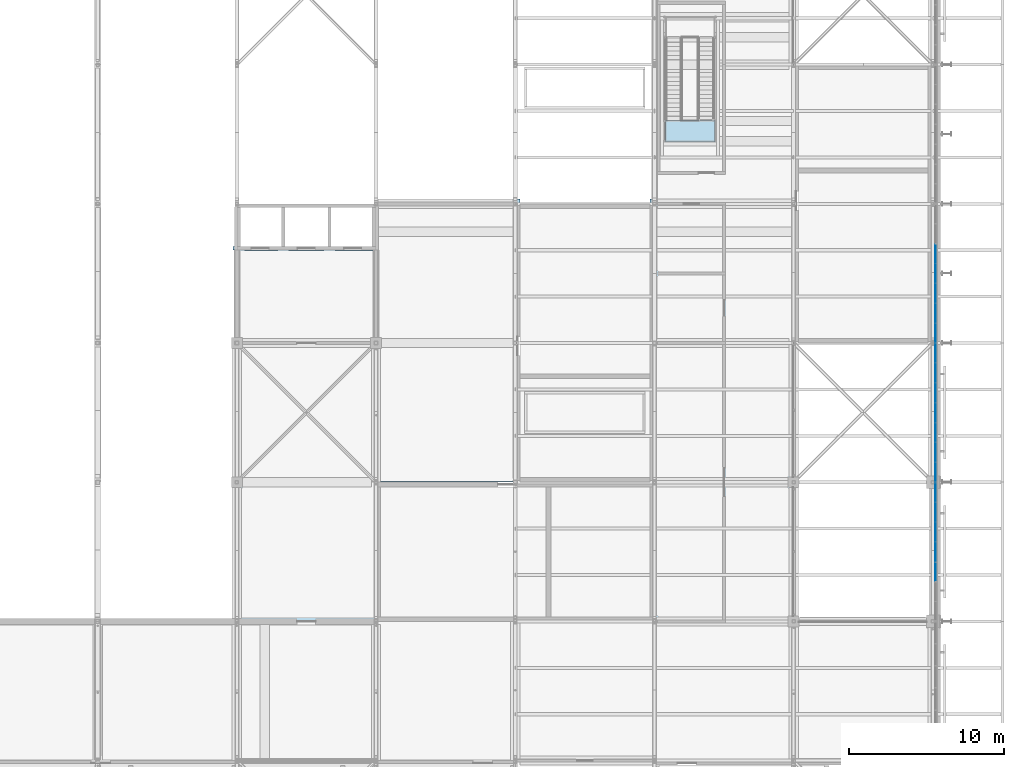
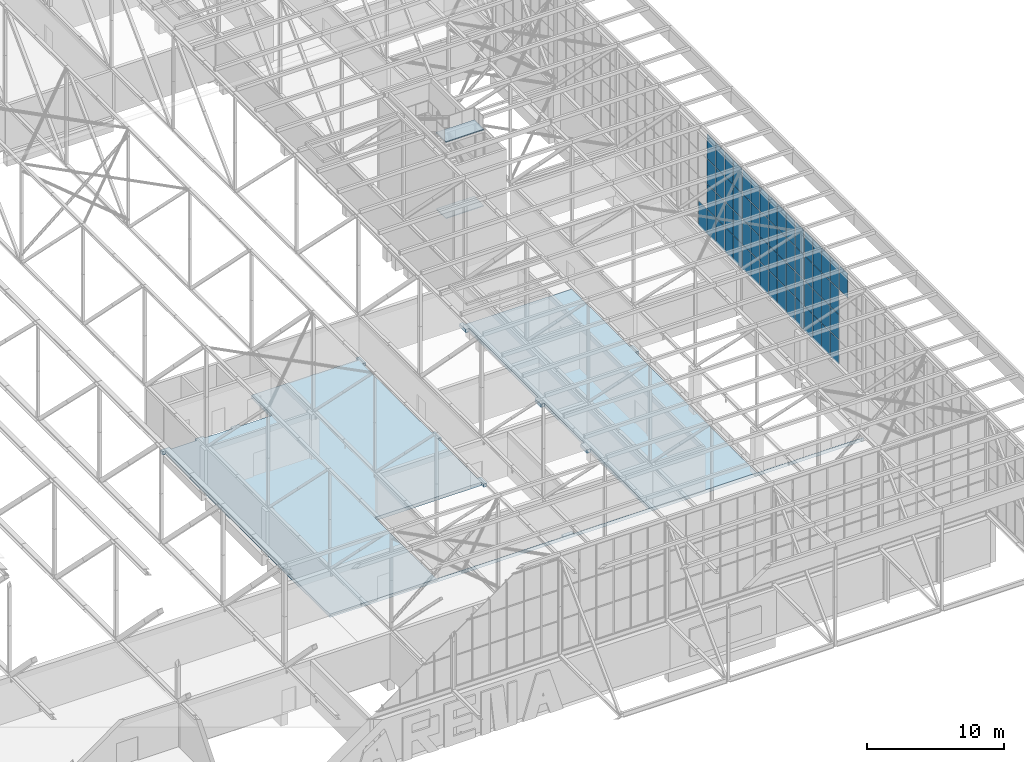
# One storey, part 154 of 646: 62 plates, 3 slabs, 4 elements without a shape of their own.
"""IFC4 building model written with IfcOpenShell, lengths in metres."""

from ifc_helpers import new_model, si_unit, direction, frame, origin, origin_2d, place, context, subcontext, project, spatial, polyline, rectangle, outline, extrude, material, layer, layer_set, type_object, element, aggregate, save


model = new_model("IFC4")

# Units and contexts
model_context = context("Model", 3, precision=1e-05, world=origin(), true_north=direction((0.0, 1.0)))
body_context = subcontext(model_context, "Body", "Model", "MODEL_VIEW")
ifc_project = project(units=[si_unit("LENGTHUNIT", "METRE"), si_unit("AREAUNIT", "SQUARE_METRE"), si_unit("VOLUMEUNIT", "CUBIC_METRE"), si_unit("PLANEANGLEUNIT", "RADIAN"), si_unit("MASSUNIT", "GRAM", prefix="KILO")], contexts=[model_context])

# Site, building, storey
site_placement = place(None, origin())
site = spatial("IfcSite", under=ifc_project, at=site_placement, CompositionType="ELEMENT")
building_placement = place(site_placement, origin())
building = spatial("IfcBuilding", under=site, at=building_placement, Name="Silverbay Arena", CompositionType="ELEMENT")
storey_placement = place(building_placement, frame((0.0, 0.0, 33.5)))
storey = spatial("IfcBuildingStorey", under=building, at=storey_placement, Name="L05", CompositionType="ELEMENT", Elevation=33.5)

# Curtain wall, plates
ifc_material_1 = material(Name="Aluminium framed glazing", Category="aluminium")
curtain_wall_type = type_object("IfcCurtainWallType", Name="Curtain wall clerestory 9000 x 9000", PredefinedType="NOTDEFINED", material=ifc_material_1)
curtain_wall_1_placement = place(storey_placement, origin())
curtain_wall_1 = element("IfcCurtainWall", 1, at=curtain_wall_1_placement, inside=storey, type_object=curtain_wall_type, Name="ROOF GABLE CLERESTORY CURTAIN WALL east bay 04", PredefinedType="NOTDEFINED")
ifc_material_2 = material(Name="Laminated glass", Category="glass")
ifc_layer_1 = layer(ifc_material_2, 0.028076171875)
ifc_layer_set_1 = layer_set([ifc_layer_1], Name="Laminated glass")
plate_type = type_object("IfcPlateType", Name="Glass panel 28", PredefinedType="CURTAIN_PANEL", material=ifc_layer_set_1)
plate_1_placement = place(storey_placement, frame((207.179931640625, 39.21435546875, 10.77490234375), z_axis=(0.0, 0.0, 1.0), x_axis=(0.0, 1.0, 0.0)))
plate_1 = element("IfcPlate", 2, at=plate_1_placement, type_object=plate_type, Name="CW60 panel 3.4", PredefinedType="CURTAIN_PANEL", context=body_context, shape_type="SweptSolid", body=[
    extrude(rectangle(XDim=1.225830078125, YDim=0.028076171875, at=origin_2d()), origin(), (0.0, 0.0, 1.0), 2.175048828125),
])
plate_2_placement = place(storey_placement, frame((207.179931640625, 40.5, 4.0498046875), z_axis=(0.0, 0.0, 1.0), x_axis=(0.0, 1.0, 0.0)))
plate_2 = element("IfcPlate", 3, at=plate_2_placement, type_object=plate_type, Name="CW60 panel 4.1", PredefinedType="CURTAIN_PANEL", context=body_context, shape_type="SweptSolid", body=[
    extrude(rectangle(XDim=1.225830078125, YDim=0.028076171875, at=origin_2d()), origin(), (0.0, 0.0, 1.0), 2.175048828125),
])
plate_3_placement = place(storey_placement, frame((207.179931640625, 40.5, 6.27490234375), z_axis=(0.0, 0.0, 1.0), x_axis=(0.0, 1.0, 0.0)))
plate_3 = element("IfcPlate", 4, at=plate_3_placement, type_object=plate_type, Name="CW60 panel 4.2", PredefinedType="CURTAIN_PANEL", context=body_context, shape_type="SweptSolid", body=[
    extrude(rectangle(XDim=1.225830078125, YDim=0.028076171875, at=origin_2d()), origin(), (0.0, 0.0, 1.0), 2.199951171875),
])
plate_4_placement = place(storey_placement, frame((207.179931640625, 40.5, 8.52490234375), z_axis=(0.0, 0.0, 1.0), x_axis=(0.0, 1.0, 0.0)))
plate_4 = element("IfcPlate", 5, at=plate_4_placement, type_object=plate_type, Name="CW60 panel 4.3", PredefinedType="CURTAIN_PANEL", context=body_context, shape_type="SweptSolid", body=[
    extrude(rectangle(XDim=1.225830078125, YDim=0.028076171875, at=origin_2d()), origin(), (0.0, 0.0, 1.0), 2.199951171875),
])
plate_5_placement = place(storey_placement, frame((207.179931640625, 40.5, 10.77490234375), z_axis=(0.0, 0.0, 1.0), x_axis=(0.0, 1.0, 0.0)))
plate_5 = element("IfcPlate", 6, at=plate_5_placement, type_object=plate_type, Name="CW60 panel 4.4", PredefinedType="CURTAIN_PANEL", context=body_context, shape_type="SweptSolid", body=[
    extrude(rectangle(XDim=1.225830078125, YDim=0.028076171875, at=origin_2d()), origin(), (0.0, 0.0, 1.0), 2.175048828125),
])
plate_6_placement = place(storey_placement, frame((207.179931640625, 41.78564453125, 4.0498046875), z_axis=(0.0, 0.0, 1.0), x_axis=(0.0, 1.0, 0.0)))
plate_6 = element("IfcPlate", 7, at=plate_6_placement, type_object=plate_type, Name="CW60 panel 5.1", PredefinedType="CURTAIN_PANEL", context=body_context, shape_type="SweptSolid", body=[
    extrude(rectangle(XDim=1.225830078125, YDim=0.028076171875, at=origin_2d()), origin(), (0.0, 0.0, 1.0), 2.175048828125),
])
plate_7_placement = place(storey_placement, frame((207.179931640625, 41.78564453125, 6.27490234375), z_axis=(0.0, 0.0, 1.0), x_axis=(0.0, 1.0, 0.0)))
plate_7 = element("IfcPlate", 8, at=plate_7_placement, type_object=plate_type, Name="CW60 panel 5.2", PredefinedType="CURTAIN_PANEL", context=body_context, shape_type="SweptSolid", body=[
    extrude(rectangle(XDim=1.225830078125, YDim=0.028076171875, at=origin_2d()), origin(), (0.0, 0.0, 1.0), 2.199951171875),
])
plate_8_placement = place(storey_placement, frame((207.179931640625, 41.78564453125, 8.52490234375), z_axis=(0.0, 0.0, 1.0), x_axis=(0.0, 1.0, 0.0)))
plate_8 = element("IfcPlate", 9, at=plate_8_placement, type_object=plate_type, Name="CW60 panel 5.3", PredefinedType="CURTAIN_PANEL", context=body_context, shape_type="SweptSolid", body=[
    extrude(rectangle(XDim=1.225830078125, YDim=0.028076171875, at=origin_2d()), origin(), (0.0, 0.0, 1.0), 2.199951171875),
])
plate_9_placement = place(storey_placement, frame((207.179931640625, 41.78564453125, 10.77490234375), z_axis=(0.0, 0.0, 1.0), x_axis=(0.0, 1.0, 0.0)))
plate_9 = element("IfcPlate", 10, at=plate_9_placement, type_object=plate_type, Name="CW60 panel 5.4", PredefinedType="CURTAIN_PANEL", context=body_context, shape_type="SweptSolid", body=[
    extrude(rectangle(XDim=1.225830078125, YDim=0.028076171875, at=origin_2d()), origin(), (0.0, 0.0, 1.0), 2.175048828125),
])
plate_10_placement = place(storey_placement, frame((207.179931640625, 43.071533203125, 4.0498046875), z_axis=(0.0, 0.0, 1.0), x_axis=(0.0, 1.0, 0.0)))
plate_10 = element("IfcPlate", 11, at=plate_10_placement, type_object=plate_type, Name="CW60 panel 6.1", PredefinedType="CURTAIN_PANEL", context=body_context, shape_type="SweptSolid", body=[
    extrude(rectangle(XDim=1.225830078125, YDim=0.028076171875, at=origin_2d()), origin(), (0.0, 0.0, 1.0), 2.175048828125),
])
plate_11_placement = place(storey_placement, frame((207.179931640625, 43.071533203125, 6.27490234375), z_axis=(0.0, 0.0, 1.0), x_axis=(0.0, 1.0, 0.0)))
plate_11 = element("IfcPlate", 12, at=plate_11_placement, type_object=plate_type, Name="CW60 panel 6.2", PredefinedType="CURTAIN_PANEL", context=body_context, shape_type="SweptSolid", body=[
    extrude(rectangle(XDim=1.225830078125, YDim=0.028076171875, at=origin_2d()), origin(), (0.0, 0.0, 1.0), 2.199951171875),
])
plate_12_placement = place(storey_placement, frame((207.179931640625, 43.071533203125, 8.52490234375), z_axis=(0.0, 0.0, 1.0), x_axis=(0.0, 1.0, 0.0)))
plate_12 = element("IfcPlate", 13, at=plate_12_placement, type_object=plate_type, Name="CW60 panel 6.3", PredefinedType="CURTAIN_PANEL", context=body_context, shape_type="SweptSolid", body=[
    extrude(rectangle(XDim=1.225830078125, YDim=0.028076171875, at=origin_2d()), origin(), (0.0, 0.0, 1.0), 2.199951171875),
])
plate_13_placement = place(storey_placement, frame((207.179931640625, 43.071533203125, 10.77490234375), z_axis=(0.0, 0.0, 1.0), x_axis=(0.0, 1.0, 0.0)))
plate_13 = element("IfcPlate", 14, at=plate_13_placement, type_object=plate_type, Name="CW60 panel 6.4", PredefinedType="CURTAIN_PANEL", context=body_context, shape_type="SweptSolid", body=[
    extrude(rectangle(XDim=1.225830078125, YDim=0.028076171875, at=origin_2d()), origin(), (0.0, 0.0, 1.0), 2.175048828125),
])
plate_14_placement = place(storey_placement, frame((207.179931640625, 44.342041015625, 4.0498046875), z_axis=(0.0, 0.0, 1.0), x_axis=(0.0, 1.0, 0.0)))
plate_14 = element("IfcPlate", 15, at=plate_14_placement, type_object=plate_type, Name="CW60 panel 7.1", PredefinedType="CURTAIN_PANEL", context=body_context, shape_type="SweptSolid", body=[
    extrude(rectangle(XDim=1.19580078125, YDim=0.028076171875, at=origin_2d()), origin(), (0.0, 0.0, 1.0), 2.175048828125),
])
plate_15_placement = place(storey_placement, frame((207.179931640625, 44.342041015625, 6.27490234375), z_axis=(0.0, 0.0, 1.0), x_axis=(0.0, 1.0, 0.0)))
plate_15 = element("IfcPlate", 16, at=plate_15_placement, type_object=plate_type, Name="CW60 panel 7.2", PredefinedType="CURTAIN_PANEL", context=body_context, shape_type="SweptSolid", body=[
    extrude(rectangle(XDim=1.19580078125, YDim=0.028076171875, at=origin_2d()), origin(), (0.0, 0.0, 1.0), 2.199951171875),
])
plate_16_placement = place(storey_placement, frame((207.179931640625, 44.342041015625, 8.52490234375), z_axis=(0.0, 0.0, 1.0), x_axis=(0.0, 1.0, 0.0)))
plate_16 = element("IfcPlate", 17, at=plate_16_placement, type_object=plate_type, Name="CW60 panel 7.3", PredefinedType="CURTAIN_PANEL", context=body_context, shape_type="SweptSolid", body=[
    extrude(rectangle(XDim=1.19580078125, YDim=0.028076171875, at=origin_2d()), origin(), (0.0, 0.0, 1.0), 2.199951171875),
])
plate_17_placement = place(storey_placement, frame((207.179931640625, 44.342041015625, 10.77490234375), z_axis=(0.0, 0.0, 1.0), x_axis=(0.0, 1.0, 0.0)))
plate_17 = element("IfcPlate", 18, at=plate_17_placement, type_object=plate_type, Name="CW60 panel 7.4", PredefinedType="CURTAIN_PANEL", context=body_context, shape_type="SweptSolid", body=[
    extrude(rectangle(XDim=1.19580078125, YDim=0.028076171875, at=origin_2d()), origin(), (0.0, 0.0, 1.0), 2.175048828125),
])
aggregate(curtain_wall_1, [plate_1, plate_2, plate_3, plate_4, plate_5, plate_6, plate_7, plate_8, plate_9, plate_10, plate_11, plate_12, plate_13, plate_14, plate_15, plate_16, plate_17])

curtain_wall_2_placement = place(storey_placement, origin())
curtain_wall_2 = element("IfcCurtainWall", 19, at=curtain_wall_2_placement, inside=storey, type_object=curtain_wall_type, Name="ROOF GABLE CLERESTORY CURTAIN WALL east bay 05", PredefinedType="NOTDEFINED")
plate_18_placement = place(storey_placement, frame((207.179931640625, 45.657958984375, 4.0498046875), z_axis=(0.0, 0.0, 1.0), x_axis=(0.0, 1.0, 0.0)))
plate_18 = element("IfcPlate", 20, at=plate_18_placement, type_object=plate_type, Name="CW60 panel 1.1", PredefinedType="CURTAIN_PANEL", context=body_context, shape_type="SweptSolid", body=[
    extrude(rectangle(XDim=1.19580078125, YDim=0.028076171875, at=origin_2d()), origin(), (0.0, 0.0, 1.0), 2.175048828125),
])
plate_19_placement = place(storey_placement, frame((207.179931640625, 45.657958984375, 6.27490234375), z_axis=(0.0, 0.0, 1.0), x_axis=(0.0, 1.0, 0.0)))
plate_19 = element("IfcPlate", 21, at=plate_19_placement, type_object=plate_type, Name="CW60 panel 1.2", PredefinedType="CURTAIN_PANEL", context=body_context, shape_type="SweptSolid", body=[
    extrude(rectangle(XDim=1.19580078125, YDim=0.028076171875, at=origin_2d()), origin(), (0.0, 0.0, 1.0), 2.199951171875),
])
plate_20_placement = place(storey_placement, frame((207.179931640625, 45.657958984375, 8.52490234375), z_axis=(0.0, 0.0, 1.0), x_axis=(0.0, 1.0, 0.0)))
plate_20 = element("IfcPlate", 22, at=plate_20_placement, type_object=plate_type, Name="CW60 panel 1.3", PredefinedType="CURTAIN_PANEL", context=body_context, shape_type="SweptSolid", body=[
    extrude(rectangle(XDim=1.19580078125, YDim=0.028076171875, at=origin_2d()), origin(), (0.0, 0.0, 1.0), 2.199951171875),
])
plate_21_placement = place(storey_placement, frame((207.179931640625, 45.657958984375, 10.77490234375), z_axis=(0.0, 0.0, 1.0), x_axis=(0.0, 1.0, 0.0)))
plate_21 = element("IfcPlate", 23, at=plate_21_placement, type_object=plate_type, Name="CW60 panel 1.4", PredefinedType="CURTAIN_PANEL", context=body_context, shape_type="SweptSolid", body=[
    extrude(rectangle(XDim=1.19580078125, YDim=0.028076171875, at=origin_2d()), origin(), (0.0, 0.0, 1.0), 2.175048828125),
])
plate_22_placement = place(storey_placement, frame((207.179931640625, 46.928466796875, 4.0498046875), z_axis=(0.0, 0.0, 1.0), x_axis=(0.0, 1.0, 0.0)))
plate_22 = element("IfcPlate", 24, at=plate_22_placement, type_object=plate_type, Name="CW60 panel 2.1", PredefinedType="CURTAIN_PANEL", context=body_context, shape_type="SweptSolid", body=[
    extrude(rectangle(XDim=1.225830078125, YDim=0.028076171875, at=origin_2d()), origin(), (0.0, 0.0, 1.0), 2.175048828125),
])
plate_23_placement = place(storey_placement, frame((207.179931640625, 46.928466796875, 6.27490234375), z_axis=(0.0, 0.0, 1.0), x_axis=(0.0, 1.0, 0.0)))
plate_23 = element("IfcPlate", 25, at=plate_23_placement, type_object=plate_type, Name="CW60 panel 2.2", PredefinedType="CURTAIN_PANEL", context=body_context, shape_type="SweptSolid", body=[
    extrude(rectangle(XDim=1.225830078125, YDim=0.028076171875, at=origin_2d()), origin(), (0.0, 0.0, 1.0), 2.199951171875),
])
plate_24_placement = place(storey_placement, frame((207.179931640625, 46.928466796875, 8.52490234375), z_axis=(0.0, 0.0, 1.0), x_axis=(0.0, 1.0, 0.0)))
plate_24 = element("IfcPlate", 26, at=plate_24_placement, type_object=plate_type, Name="CW60 panel 2.3", PredefinedType="CURTAIN_PANEL", context=body_context, shape_type="SweptSolid", body=[
    extrude(rectangle(XDim=1.225830078125, YDim=0.028076171875, at=origin_2d()), origin(), (0.0, 0.0, 1.0), 2.199951171875),
])
plate_25_placement = place(storey_placement, frame((207.179931640625, 46.928466796875, 10.77490234375), z_axis=(0.0, 0.0, 1.0), x_axis=(0.0, 1.0, 0.0)))
plate_25 = element("IfcPlate", 27, at=plate_25_placement, type_object=plate_type, Name="CW60 panel 2.4", PredefinedType="CURTAIN_PANEL", context=body_context, shape_type="SweptSolid", body=[
    extrude(rectangle(XDim=1.225830078125, YDim=0.028076171875, at=origin_2d()), origin(), (0.0, 0.0, 1.0), 2.175048828125),
])
plate_26_placement = place(storey_placement, frame((207.179931640625, 48.21435546875, 4.0498046875), z_axis=(0.0, 0.0, 1.0), x_axis=(0.0, 1.0, 0.0)))
plate_26 = element("IfcPlate", 28, at=plate_26_placement, type_object=plate_type, Name="CW60 panel 3.1", PredefinedType="CURTAIN_PANEL", context=body_context, shape_type="SweptSolid", body=[
    extrude(rectangle(XDim=1.225830078125, YDim=0.028076171875, at=origin_2d()), origin(), (0.0, 0.0, 1.0), 2.175048828125),
])
plate_27_placement = place(storey_placement, frame((207.179931640625, 48.21435546875, 6.27490234375), z_axis=(0.0, 0.0, 1.0), x_axis=(0.0, 1.0, 0.0)))
plate_27 = element("IfcPlate", 29, at=plate_27_placement, type_object=plate_type, Name="CW60 panel 3.2", PredefinedType="CURTAIN_PANEL", context=body_context, shape_type="SweptSolid", body=[
    extrude(rectangle(XDim=1.225830078125, YDim=0.028076171875, at=origin_2d()), origin(), (0.0, 0.0, 1.0), 2.199951171875),
])
plate_28_placement = place(storey_placement, frame((207.179931640625, 48.21435546875, 8.52490234375), z_axis=(0.0, 0.0, 1.0), x_axis=(0.0, 1.0, 0.0)))
plate_28 = element("IfcPlate", 30, at=plate_28_placement, type_object=plate_type, Name="CW60 panel 3.3", PredefinedType="CURTAIN_PANEL", context=body_context, shape_type="SweptSolid", body=[
    extrude(rectangle(XDim=1.225830078125, YDim=0.028076171875, at=origin_2d()), origin(), (0.0, 0.0, 1.0), 2.199951171875),
])
plate_29_placement = place(storey_placement, frame((207.179931640625, 48.21435546875, 10.77490234375), z_axis=(0.0, 0.0, 1.0), x_axis=(0.0, 1.0, 0.0)))
plate_29 = element("IfcPlate", 31, at=plate_29_placement, type_object=plate_type, Name="CW60 panel 3.4", PredefinedType="CURTAIN_PANEL", context=body_context, shape_type="SweptSolid", body=[
    extrude(rectangle(XDim=1.225830078125, YDim=0.028076171875, at=origin_2d()), origin(), (0.0, 0.0, 1.0), 2.175048828125),
])
plate_30_placement = place(storey_placement, frame((207.179931640625, 49.5, 4.0498046875), z_axis=(0.0, 0.0, 1.0), x_axis=(0.0, 1.0, 0.0)))
plate_30 = element("IfcPlate", 32, at=plate_30_placement, type_object=plate_type, Name="CW60 panel 4.1", PredefinedType="CURTAIN_PANEL", context=body_context, shape_type="SweptSolid", body=[
    extrude(rectangle(XDim=1.225830078125, YDim=0.028076171875, at=origin_2d()), origin(), (0.0, 0.0, 1.0), 2.175048828125),
])
plate_31_placement = place(storey_placement, frame((207.179931640625, 49.5, 6.27490234375), z_axis=(0.0, 0.0, 1.0), x_axis=(0.0, 1.0, 0.0)))
plate_31 = element("IfcPlate", 33, at=plate_31_placement, type_object=plate_type, Name="CW60 panel 4.2", PredefinedType="CURTAIN_PANEL", context=body_context, shape_type="SweptSolid", body=[
    extrude(rectangle(XDim=1.225830078125, YDim=0.028076171875, at=origin_2d()), origin(), (0.0, 0.0, 1.0), 2.199951171875),
])
plate_32_placement = place(storey_placement, frame((207.179931640625, 49.5, 8.52490234375), z_axis=(0.0, 0.0, 1.0), x_axis=(0.0, 1.0, 0.0)))
plate_32 = element("IfcPlate", 34, at=plate_32_placement, type_object=plate_type, Name="CW60 panel 4.3", PredefinedType="CURTAIN_PANEL", context=body_context, shape_type="SweptSolid", body=[
    extrude(rectangle(XDim=1.225830078125, YDim=0.028076171875, at=origin_2d()), origin(), (0.0, 0.0, 1.0), 2.199951171875),
])
plate_33_placement = place(storey_placement, frame((207.179931640625, 49.5, 10.77490234375), z_axis=(0.0, 0.0, 1.0), x_axis=(0.0, 1.0, 0.0)))
plate_33 = element("IfcPlate", 35, at=plate_33_placement, type_object=plate_type, Name="CW60 panel 4.4", PredefinedType="CURTAIN_PANEL", context=body_context, shape_type="SweptSolid", body=[
    extrude(rectangle(XDim=1.225830078125, YDim=0.028076171875, at=origin_2d()), origin(), (0.0, 0.0, 1.0), 2.175048828125),
])
plate_34_placement = place(storey_placement, frame((207.179931640625, 50.78564453125, 4.0498046875), z_axis=(0.0, 0.0, 1.0), x_axis=(0.0, 1.0, 0.0)))
plate_34 = element("IfcPlate", 36, at=plate_34_placement, type_object=plate_type, Name="CW60 panel 5.1", PredefinedType="CURTAIN_PANEL", context=body_context, shape_type="SweptSolid", body=[
    extrude(rectangle(XDim=1.225830078125, YDim=0.028076171875, at=origin_2d()), origin(), (0.0, 0.0, 1.0), 2.175048828125),
])
plate_35_placement = place(storey_placement, frame((207.179931640625, 50.78564453125, 6.27490234375), z_axis=(0.0, 0.0, 1.0), x_axis=(0.0, 1.0, 0.0)))
plate_35 = element("IfcPlate", 37, at=plate_35_placement, type_object=plate_type, Name="CW60 panel 5.2", PredefinedType="CURTAIN_PANEL", context=body_context, shape_type="SweptSolid", body=[
    extrude(rectangle(XDim=1.225830078125, YDim=0.028076171875, at=origin_2d()), origin(), (0.0, 0.0, 1.0), 2.199951171875),
])
plate_36_placement = place(storey_placement, frame((207.179931640625, 50.78564453125, 8.52490234375), z_axis=(0.0, 0.0, 1.0), x_axis=(0.0, 1.0, 0.0)))
plate_36 = element("IfcPlate", 38, at=plate_36_placement, type_object=plate_type, Name="CW60 panel 5.3", PredefinedType="CURTAIN_PANEL", context=body_context, shape_type="SweptSolid", body=[
    extrude(rectangle(XDim=1.225830078125, YDim=0.028076171875, at=origin_2d()), origin(), (0.0, 0.0, 1.0), 2.199951171875),
])
plate_37_placement = place(storey_placement, frame((207.179931640625, 50.78564453125, 10.77490234375), z_axis=(0.0, 0.0, 1.0), x_axis=(0.0, 1.0, 0.0)))
plate_37 = element("IfcPlate", 39, at=plate_37_placement, type_object=plate_type, Name="CW60 panel 5.4", PredefinedType="CURTAIN_PANEL", context=body_context, shape_type="SweptSolid", body=[
    extrude(rectangle(XDim=1.225830078125, YDim=0.028076171875, at=origin_2d()), origin(), (0.0, 0.0, 1.0), 2.175048828125),
])
plate_38_placement = place(storey_placement, frame((207.179931640625, 52.071533203125, 4.0498046875), z_axis=(0.0, 0.0, 1.0), x_axis=(0.0, 1.0, 0.0)))
plate_38 = element("IfcPlate", 40, at=plate_38_placement, type_object=plate_type, Name="CW60 panel 6.1", PredefinedType="CURTAIN_PANEL", context=body_context, shape_type="SweptSolid", body=[
    extrude(rectangle(XDim=1.225830078125, YDim=0.028076171875, at=origin_2d()), origin(), (0.0, 0.0, 1.0), 2.175048828125),
])
plate_39_placement = place(storey_placement, frame((207.179931640625, 52.071533203125, 6.27490234375), z_axis=(0.0, 0.0, 1.0), x_axis=(0.0, 1.0, 0.0)))
plate_39 = element("IfcPlate", 41, at=plate_39_placement, type_object=plate_type, Name="CW60 panel 6.2", PredefinedType="CURTAIN_PANEL", context=body_context, shape_type="SweptSolid", body=[
    extrude(rectangle(XDim=1.225830078125, YDim=0.028076171875, at=origin_2d()), origin(), (0.0, 0.0, 1.0), 2.199951171875),
])
plate_40_placement = place(storey_placement, frame((207.179931640625, 52.071533203125, 8.52490234375), z_axis=(0.0, 0.0, 1.0), x_axis=(0.0, 1.0, 0.0)))
plate_40 = element("IfcPlate", 42, at=plate_40_placement, type_object=plate_type, Name="CW60 panel 6.3", PredefinedType="CURTAIN_PANEL", context=body_context, shape_type="SweptSolid", body=[
    extrude(rectangle(XDim=1.225830078125, YDim=0.028076171875, at=origin_2d()), origin(), (0.0, 0.0, 1.0), 2.199951171875),
])
plate_41_placement = place(storey_placement, frame((207.179931640625, 52.071533203125, 10.77490234375), z_axis=(0.0, 0.0, 1.0), x_axis=(0.0, 1.0, 0.0)))
plate_41 = element("IfcPlate", 43, at=plate_41_placement, type_object=plate_type, Name="CW60 panel 6.4", PredefinedType="CURTAIN_PANEL", context=body_context, shape_type="SweptSolid", body=[
    extrude(rectangle(XDim=1.225830078125, YDim=0.028076171875, at=origin_2d()), origin(), (0.0, 0.0, 1.0), 2.175048828125),
])
plate_42_placement = place(storey_placement, frame((207.179931640625, 53.342041015625, 4.0498046875), z_axis=(0.0, 0.0, 1.0), x_axis=(0.0, 1.0, 0.0)))
plate_42 = element("IfcPlate", 44, at=plate_42_placement, type_object=plate_type, Name="CW60 panel 7.1", PredefinedType="CURTAIN_PANEL", context=body_context, shape_type="SweptSolid", body=[
    extrude(rectangle(XDim=1.19580078125, YDim=0.028076171875, at=origin_2d()), origin(), (0.0, 0.0, 1.0), 2.175048828125),
])
plate_43_placement = place(storey_placement, frame((207.179931640625, 53.342041015625, 6.27490234375), z_axis=(0.0, 0.0, 1.0), x_axis=(0.0, 1.0, 0.0)))
plate_43 = element("IfcPlate", 45, at=plate_43_placement, type_object=plate_type, Name="CW60 panel 7.2", PredefinedType="CURTAIN_PANEL", context=body_context, shape_type="SweptSolid", body=[
    extrude(rectangle(XDim=1.19580078125, YDim=0.028076171875, at=origin_2d()), origin(), (0.0, 0.0, 1.0), 2.199951171875),
])
plate_44_placement = place(storey_placement, frame((207.179931640625, 53.342041015625, 8.52490234375), z_axis=(0.0, 0.0, 1.0), x_axis=(0.0, 1.0, 0.0)))
plate_44 = element("IfcPlate", 46, at=plate_44_placement, type_object=plate_type, Name="CW60 panel 7.3", PredefinedType="CURTAIN_PANEL", context=body_context, shape_type="SweptSolid", body=[
    extrude(rectangle(XDim=1.19580078125, YDim=0.028076171875, at=origin_2d()), origin(), (0.0, 0.0, 1.0), 2.199951171875),
])
plate_45_placement = place(storey_placement, frame((207.179931640625, 53.342041015625, 10.77490234375), z_axis=(0.0, 0.0, 1.0), x_axis=(0.0, 1.0, 0.0)))
plate_45 = element("IfcPlate", 47, at=plate_45_placement, type_object=plate_type, Name="CW60 panel 7.4", PredefinedType="CURTAIN_PANEL", context=body_context, shape_type="SweptSolid", body=[
    extrude(rectangle(XDim=1.19580078125, YDim=0.028076171875, at=origin_2d()), origin(), (0.0, 0.0, 1.0), 2.175048828125),
])
aggregate(curtain_wall_2, [plate_18, plate_19, plate_20, plate_21, plate_22, plate_23, plate_24, plate_25, plate_26, plate_27, plate_28, plate_29, plate_30, plate_31, plate_32, plate_33, plate_34, plate_35, plate_36, plate_37, plate_38, plate_39, plate_40, plate_41, plate_42, plate_43, plate_44, plate_45])

curtain_wall_3_placement = place(storey_placement, origin())
curtain_wall_3 = element("IfcCurtainWall", 48, at=curtain_wall_3_placement, inside=storey, type_object=curtain_wall_type, Name="ROOF GABLE CLERESTORY CURTAIN WALL east bay 06", PredefinedType="NOTDEFINED")
plate_46_placement = place(storey_placement, frame((207.179931640625, 54.657958984375, 4.0498046875), z_axis=(0.0, 0.0, 1.0), x_axis=(0.0, 1.0, 0.0)))
plate_46 = element("IfcPlate", 49, at=plate_46_placement, type_object=plate_type, Name="CW60 panel 1.1", PredefinedType="CURTAIN_PANEL", context=body_context, shape_type="SweptSolid", body=[
    extrude(rectangle(XDim=1.19580078125, YDim=0.028076171875, at=origin_2d()), origin(), (0.0, 0.0, 1.0), 2.175048828125),
])
plate_47_placement = place(storey_placement, frame((207.179931640625, 54.657958984375, 6.27490234375), z_axis=(0.0, 0.0, 1.0), x_axis=(0.0, 1.0, 0.0)))
plate_47 = element("IfcPlate", 50, at=plate_47_placement, type_object=plate_type, Name="CW60 panel 1.2", PredefinedType="CURTAIN_PANEL", context=body_context, shape_type="SweptSolid", body=[
    extrude(rectangle(XDim=1.19580078125, YDim=0.028076171875, at=origin_2d()), origin(), (0.0, 0.0, 1.0), 2.199951171875),
])
plate_48_placement = place(storey_placement, frame((207.179931640625, 54.657958984375, 8.52490234375), z_axis=(0.0, 0.0, 1.0), x_axis=(0.0, 1.0, 0.0)))
plate_48 = element("IfcPlate", 51, at=plate_48_placement, type_object=plate_type, Name="CW60 panel 1.3", PredefinedType="CURTAIN_PANEL", context=body_context, shape_type="SweptSolid", body=[
    extrude(rectangle(XDim=1.19580078125, YDim=0.028076171875, at=origin_2d()), origin(), (0.0, 0.0, 1.0), 2.199951171875),
])
plate_49_placement = place(storey_placement, frame((207.179931640625, 54.657958984375, 10.77490234375), z_axis=(0.0, 0.0, 1.0), x_axis=(0.0, 1.0, 0.0)))
plate_49 = element("IfcPlate", 52, at=plate_49_placement, type_object=plate_type, Name="CW60 panel 1.4", PredefinedType="CURTAIN_PANEL", context=body_context, shape_type="SweptSolid", body=[
    extrude(rectangle(XDim=1.19580078125, YDim=0.028076171875, at=origin_2d()), origin(), (0.0, 0.0, 1.0), 2.175048828125),
])
plate_50_placement = place(storey_placement, frame((207.179931640625, 55.928466796875, 4.0498046875), z_axis=(0.0, 0.0, 1.0), x_axis=(0.0, 1.0, 0.0)))
plate_50 = element("IfcPlate", 53, at=plate_50_placement, type_object=plate_type, Name="CW60 panel 2.1", PredefinedType="CURTAIN_PANEL", context=body_context, shape_type="SweptSolid", body=[
    extrude(rectangle(XDim=1.225830078125, YDim=0.028076171875, at=origin_2d()), origin(), (0.0, 0.0, 1.0), 2.175048828125),
])
plate_51_placement = place(storey_placement, frame((207.179931640625, 55.928466796875, 6.27490234375), z_axis=(0.0, 0.0, 1.0), x_axis=(0.0, 1.0, 0.0)))
plate_51 = element("IfcPlate", 54, at=plate_51_placement, type_object=plate_type, Name="CW60 panel 2.2", PredefinedType="CURTAIN_PANEL", context=body_context, shape_type="SweptSolid", body=[
    extrude(rectangle(XDim=1.225830078125, YDim=0.028076171875, at=origin_2d()), origin(), (0.0, 0.0, 1.0), 2.199951171875),
])
plate_52_placement = place(storey_placement, frame((207.179931640625, 55.928466796875, 8.52490234375), z_axis=(0.0, 0.0, 1.0), x_axis=(0.0, 1.0, 0.0)))
plate_52 = element("IfcPlate", 55, at=plate_52_placement, type_object=plate_type, Name="CW60 panel 2.3", PredefinedType="CURTAIN_PANEL", context=body_context, shape_type="SweptSolid", body=[
    extrude(rectangle(XDim=1.225830078125, YDim=0.028076171875, at=origin_2d()), origin(), (0.0, 0.0, 1.0), 2.199951171875),
])
plate_53_placement = place(storey_placement, frame((207.179931640625, 55.928466796875, 10.77490234375), z_axis=(0.0, 0.0, 1.0), x_axis=(0.0, 1.0, 0.0)))
plate_53 = element("IfcPlate", 56, at=plate_53_placement, type_object=plate_type, Name="CW60 panel 2.4", PredefinedType="CURTAIN_PANEL", context=body_context, shape_type="SweptSolid", body=[
    extrude(rectangle(XDim=1.225830078125, YDim=0.028076171875, at=origin_2d()), origin(), (0.0, 0.0, 1.0), 2.175048828125),
])
plate_54_placement = place(storey_placement, frame((207.179931640625, 57.21435546875, 4.0498046875), z_axis=(0.0, 0.0, 1.0), x_axis=(0.0, 1.0, 0.0)))
plate_54 = element("IfcPlate", 57, at=plate_54_placement, type_object=plate_type, Name="CW60 panel 3.1", PredefinedType="CURTAIN_PANEL", context=body_context, shape_type="SweptSolid", body=[
    extrude(rectangle(XDim=1.225830078125, YDim=0.028076171875, at=origin_2d()), origin(), (0.0, 0.0, 1.0), 2.175048828125),
])
plate_55_placement = place(storey_placement, frame((207.179931640625, 57.21435546875, 6.27490234375), z_axis=(0.0, 0.0, 1.0), x_axis=(0.0, 1.0, 0.0)))
plate_55 = element("IfcPlate", 58, at=plate_55_placement, type_object=plate_type, Name="CW60 panel 3.2", PredefinedType="CURTAIN_PANEL", context=body_context, shape_type="SweptSolid", body=[
    extrude(rectangle(XDim=1.225830078125, YDim=0.028076171875, at=origin_2d()), origin(), (0.0, 0.0, 1.0), 2.199951171875),
])
plate_56_placement = place(storey_placement, frame((207.179931640625, 57.21435546875, 8.52490234375), z_axis=(0.0, 0.0, 1.0), x_axis=(0.0, 1.0, 0.0)))
plate_56 = element("IfcPlate", 59, at=plate_56_placement, type_object=plate_type, Name="CW60 panel 3.3", PredefinedType="CURTAIN_PANEL", context=body_context, shape_type="SweptSolid", body=[
    extrude(rectangle(XDim=1.225830078125, YDim=0.028076171875, at=origin_2d()), origin(), (0.0, 0.0, 1.0), 2.199951171875),
])
plate_57_placement = place(storey_placement, frame((207.179931640625, 57.21435546875, 10.77490234375), z_axis=(0.0, 0.0, 1.0), x_axis=(0.0, 1.0, 0.0)))
plate_57 = element("IfcPlate", 60, at=plate_57_placement, type_object=plate_type, Name="CW60 panel 3.4", PredefinedType="CURTAIN_PANEL", context=body_context, shape_type="SweptSolid", body=[
    extrude(rectangle(XDim=1.225830078125, YDim=0.028076171875, at=origin_2d()), origin(), (0.0, 0.0, 1.0), 2.175048828125),
])
plate_58_placement = place(storey_placement, frame((207.179931640625, 58.5, 4.0498046875), z_axis=(0.0, 0.0, 1.0), x_axis=(0.0, 1.0, 0.0)))
plate_58 = element("IfcPlate", 61, at=plate_58_placement, type_object=plate_type, Name="CW60 panel 4.1", PredefinedType="CURTAIN_PANEL", context=body_context, shape_type="SweptSolid", body=[
    extrude(rectangle(XDim=1.225830078125, YDim=0.028076171875, at=origin_2d()), origin(), (0.0, 0.0, 1.0), 2.175048828125),
])
plate_59_placement = place(storey_placement, frame((207.179931640625, 58.5, 6.27490234375), z_axis=(0.0, 0.0, 1.0), x_axis=(0.0, 1.0, 0.0)))
plate_59 = element("IfcPlate", 62, at=plate_59_placement, type_object=plate_type, Name="CW60 panel 4.2", PredefinedType="CURTAIN_PANEL", context=body_context, shape_type="SweptSolid", body=[
    extrude(rectangle(XDim=1.225830078125, YDim=0.028076171875, at=origin_2d()), origin(), (0.0, 0.0, 1.0), 2.199951171875),
])
plate_60_placement = place(storey_placement, frame((207.179931640625, 58.5, 8.52490234375), z_axis=(0.0, 0.0, 1.0), x_axis=(0.0, 1.0, 0.0)))
plate_60 = element("IfcPlate", 63, at=plate_60_placement, type_object=plate_type, Name="CW60 panel 4.3", PredefinedType="CURTAIN_PANEL", context=body_context, shape_type="SweptSolid", body=[
    extrude(rectangle(XDim=1.225830078125, YDim=0.028076171875, at=origin_2d()), origin(), (0.0, 0.0, 1.0), 2.199951171875),
])
plate_61_placement = place(storey_placement, frame((207.179931640625, 58.5, 10.77490234375), z_axis=(0.0, 0.0, 1.0), x_axis=(0.0, 1.0, 0.0)))
plate_61 = element("IfcPlate", 64, at=plate_61_placement, type_object=plate_type, Name="CW60 panel 4.4", PredefinedType="CURTAIN_PANEL", context=body_context, shape_type="SweptSolid", body=[
    extrude(rectangle(XDim=1.225830078125, YDim=0.028076171875, at=origin_2d()), origin(), (0.0, 0.0, 1.0), 2.175048828125),
])
plate_62_placement = place(storey_placement, frame((207.179931640625, 59.78564453125, 4.0498046875), z_axis=(0.0, 0.0, 1.0), x_axis=(0.0, 1.0, 0.0)))
plate_62 = element("IfcPlate", 65, at=plate_62_placement, type_object=plate_type, Name="CW60 panel 5.1", PredefinedType="CURTAIN_PANEL", context=body_context, shape_type="SweptSolid", body=[
    extrude(rectangle(XDim=1.225830078125, YDim=0.028076171875, at=origin_2d()), origin(), (0.0, 0.0, 1.0), 2.175048828125),
])
aggregate(curtain_wall_3, [plate_46, plate_47, plate_48, plate_49, plate_50, plate_51, plate_52, plate_53, plate_54, plate_55, plate_56, plate_57, plate_58, plate_59, plate_60, plate_61, plate_62])

# Slab
ifc_material_3 = material(Name="Concrete Grade C45", Category="concrete")
ifc_layer_2 = layer(ifc_material_3, 0.300048828125)
ifc_layer_set_2 = layer_set([ifc_layer_2], Name="Concrete Grade C45")
slab_type_1 = type_object("IfcSlabType", Name="RC floor slab 300", PredefinedType="FLOOR", material=ifc_layer_set_2)
slab_1_placement = place(storey_placement, frame((0.0, 0.0, -0.300048828125)))
element("IfcSlab", 66, at=slab_1_placement, inside=storey, type_object=slab_type_1, Name="Floor slab L05 unit 5", PredefinedType="FLOOR", context=body_context, shape_type="SweptSolid", body=[
    extrude(outline(polyline([(181.699951171875, 36.300048828125), (182.60009765625, 36.300048828125), (182.60009765625, 36.0), (189.0, 36.0), (189.0, 44.699951171875), (188.699951171875, 44.699951171875), (188.699951171875, 45.60009765625), (189.0, 45.60009765625), (189.0, 51.39990234375), (188.699951171875, 51.39990234375), (188.699951171875, 52.300048828125), (189.0, 52.300048828125), (189.0, 62.39990234375), (188.699951171875, 62.39990234375), (188.699951171875, 63.300048828125), (189.0, 63.300048828125), (189.0, 63.0), (198.0, 63.0), (198.0, 54.60009765625), (198.300048828125, 54.60009765625), (198.300048828125, 53.699951171875), (198.0, 53.699951171875), (198.0, 36.0), (206.97509765625, 36.0), (206.97509765625, 35.97509765625), (162.0, 35.97509765625), (162.0, 60.0), (161.75, 60.0), (161.75, 60.25), (162.5, 60.25), (162.5, 60.0), (164.64990234375, 60.0), (164.64990234375, 60.25), (165.35009765625, 60.25), (165.35009765625, 60.0), (167.64990234375, 60.0), (167.64990234375, 60.25), (168.35009765625, 60.25), (168.35009765625, 60.0), (171.0, 60.0), (171.0, 63.0), (180.0, 63.0), (180.0, 63.300048828125), (180.300048828125, 63.300048828125), (180.300048828125, 62.39990234375), (180.0, 62.39990234375), (180.0, 52.300048828125), (180.300048828125, 52.300048828125), (180.300048828125, 51.39990234375), (180.0, 51.39990234375), (180.0, 45.60009765625), (180.300048828125, 45.60009765625), (180.300048828125, 44.699951171875), (180.0, 44.699951171875), (180.0, 45.0), (171.0, 45.0), (171.0, 36.0), (181.699951171875, 36.0), (181.699951171875, 36.300048828125)])), origin(), (0.0, 0.0, 1.0), 0.300048828125),
])

# Stair, slabs
ifc_material_4 = material(Name="Steel S355", Category="steel")
stair_type = type_object("IfcStairType", Name="Roof access stair RA2 (80 risers 170.0 x 280, 1100 wide)", PredefinedType="DOUBLE_RETURN_STAIR", material=ifc_material_4)
stair_placement = place(storey_placement, origin())
stair = element("IfcStair", 67, at=stair_placement, inside=storey, type_object=stair_type, Name="Stair RA2 L05 to ROOF", PredefinedType="DOUBLE_RETURN_STAIR")
ifc_material_5 = material(Name="Steel S355", Category="steel")
ifc_layer_3 = layer(ifc_material_5, 0.080078125)
ifc_layer_set_3 = layer_set([ifc_layer_3], Name="Steel S355")
slab_type_2 = type_object("IfcSlabType", Name="Steel stair landing plate 80", PredefinedType="LANDING", material=ifc_layer_set_3)
slab_2_placement = place(storey_placement, frame((0.0, 0.0, 6.719970703125)))
slab_2 = element("IfcSlab", 68, at=slab_2_placement, type_object=slab_type_2, Name="Stair RA2 L05 to ROOF landing 2", PredefinedType="LANDING", context=body_context, shape_type="SweptSolid", body=[
    extrude(outline(polyline([(192.89990234375, 67.0), (192.89990234375, 68.39990234375), (189.699951171875, 68.39990234375), (189.699951171875, 67.0), (192.89990234375, 67.0)])), origin(), (0.0, 0.0, 1.0), 0.080078125),
])
slab_3_placement = place(storey_placement, frame((0.0, 0.0, 13.52001953125)))
slab_3 = element("IfcSlab", 69, at=slab_3_placement, type_object=slab_type_2, Name="Stair RA2 L05 to ROOF landing 4", PredefinedType="LANDING", context=body_context, shape_type="SweptSolid", body=[
    extrude(outline(polyline([(192.89990234375, 67.0), (192.89990234375, 68.39990234375), (189.699951171875, 68.39990234375), (189.699951171875, 67.0), (192.89990234375, 67.0)])), origin(), (0.0, 0.0, 1.0), 0.080078125),
])
aggregate(stair, [slab_2, slab_3])

save(model, "model.ifc")
